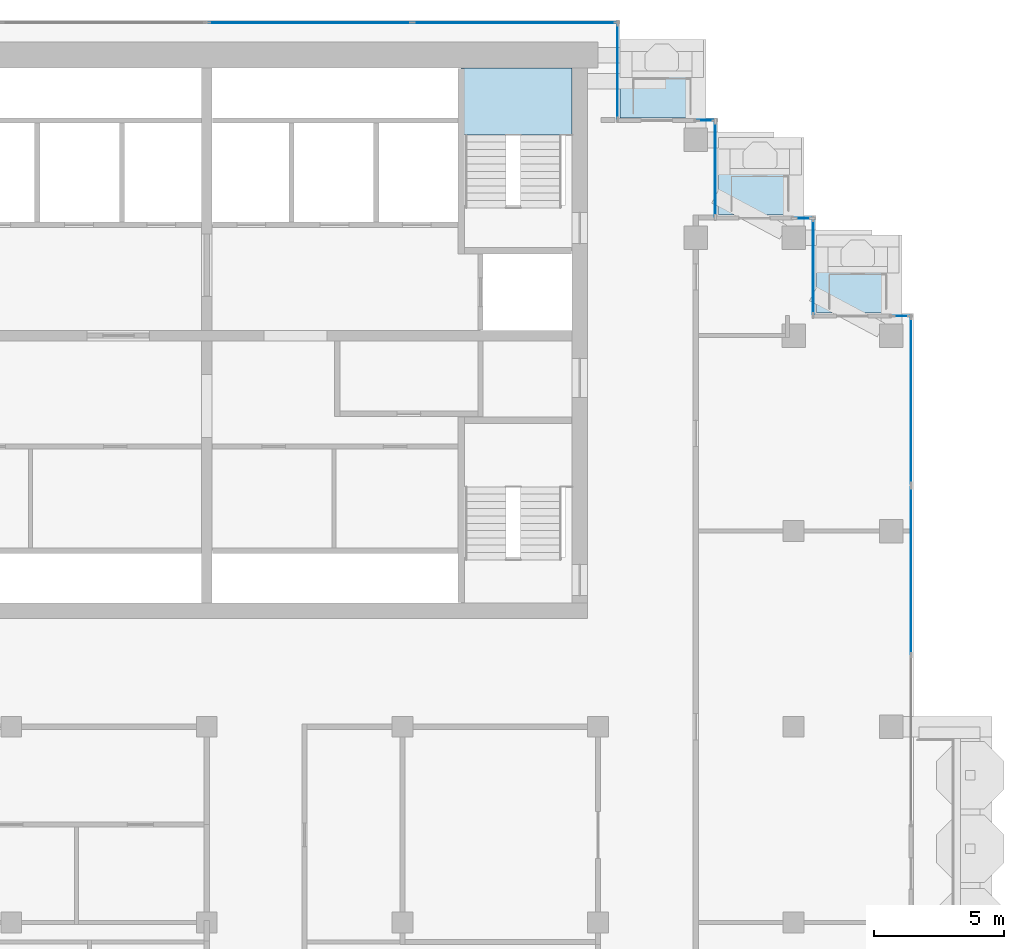
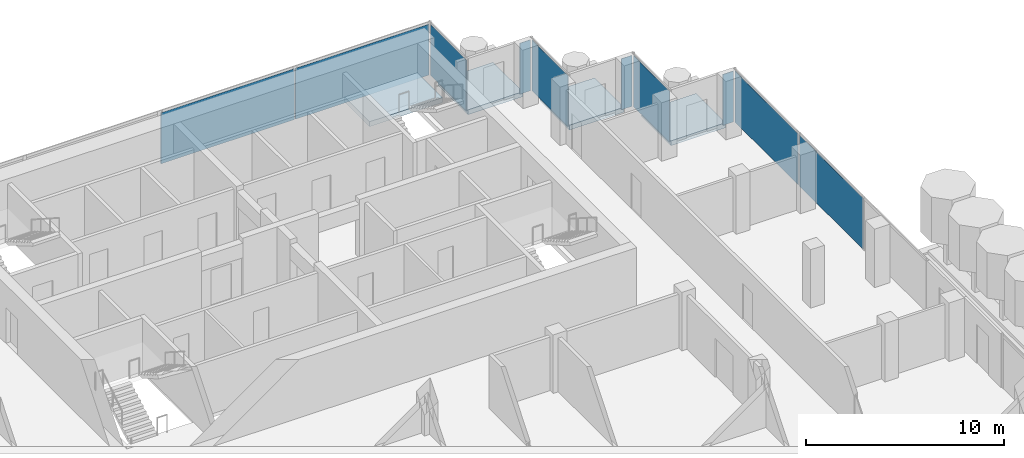
# One storey, part 10 of 18: 10 plates, 4 slabs, 10 elements without a shape of their own.
"""IFC4 building model written with IfcOpenShell, lengths in metres."""

from ifc_helpers import new_model, si_unit, direction, frame, origin, origin_2d, place, context, subcontext, project, spatial, polyline, rectangle, outline, extrude, material, layer, layer_set, type_object, element, aggregate, save


model = new_model("IFC4")

# Units and contexts
model_context = context("Model", 3, precision=1e-05, world=origin(), true_north=direction((0.0, 1.0)))
body_context = subcontext(model_context, "Body", "Model", "MODEL_VIEW")
ifc_project = project(units=[si_unit("LENGTHUNIT", "METRE"), si_unit("AREAUNIT", "SQUARE_METRE"), si_unit("VOLUMEUNIT", "CUBIC_METRE"), si_unit("PLANEANGLEUNIT", "RADIAN"), si_unit("MASSUNIT", "GRAM", prefix="KILO")], contexts=[model_context])

# Site, building, storey
site_placement = place(None, origin())
site = spatial("IfcSite", under=ifc_project, at=site_placement, CompositionType="ELEMENT")
building_placement = place(site_placement, origin())
building = spatial("IfcBuilding", under=site, at=building_placement, Name="Pilkhan Gate Tower", CompositionType="ELEMENT")
storey_placement = place(building_placement, frame((0.0, 0.0, 235.5)))
storey = spatial("IfcBuildingStorey", under=building, at=storey_placement, Name="L61", CompositionType="ELEMENT", Elevation=235.5)

# Slabs
ifc_material_1 = material(Name="Concrete C60/75", Category="concrete")
ifc_layer_1 = layer(ifc_material_1, 0.300048828125)
ifc_layer_set_1 = layer_set([ifc_layer_1], Name="Balcony tray slab TR300")
slab_type_1 = type_object("IfcSlabType", Name="Balcony tray slab TR300", PredefinedType="FLOOR", material=ifc_layer_set_1)
slab_1_placement = place(storey_placement, frame((0.0, 0.0, -0.300048828125)))
element("IfcSlab", 1, at=slab_1_placement, inside=storey, type_object=slab_type_1, Name="Balcony tray L61 N", PredefinedType="FLOOR", context=body_context, shape_type="SweptSolid", body=[
    extrude(outline(polyline([(94.050048828125, 90.85009765625), (94.050048828125, 93.85009765625), (90.85009765625, 93.85009765625), (90.85009765625, 90.85009765625), (94.050048828125, 90.85009765625)])), origin(), (0.0, 0.0, 1.0), 0.300048828125),
])
slab_2_placement = place(storey_placement, frame((0.0, 0.0, -0.300048828125)))
element("IfcSlab", 2, at=slab_2_placement, inside=storey, type_object=slab_type_1, Name="Balcony tray L61 N", PredefinedType="FLOOR", context=body_context, shape_type="SweptSolid", body=[
    extrude(outline(polyline([(97.800048828125, 87.1201171875), (97.800048828125, 90.10009765625), (94.6201171875, 90.10009765625), (94.6201171875, 87.1201171875), (97.800048828125, 87.1201171875)])), origin(), (0.0, 0.0, 1.0), 0.300048828125),
])
slab_3_placement = place(storey_placement, frame((0.0, 0.0, -0.300048828125)))
element("IfcSlab", 3, at=slab_3_placement, inside=storey, type_object=slab_type_1, Name="Balcony tray L61 N", PredefinedType="FLOOR", context=body_context, shape_type="SweptSolid", body=[
    extrude(outline(polyline([(101.550048828125, 83.3701171875), (101.550048828125, 86.35009765625), (98.3701171875, 86.35009765625), (98.3701171875, 83.3701171875), (101.550048828125, 83.3701171875)])), origin(), (0.0, 0.0, 1.0), 0.300048828125),
])

# Curtain wall, plate
ifc_material_2 = material(Name="Pale anodised aluminium, clear low-iron double glazing", Category="aluminium")
curtain_wall_type = type_object("IfcCurtainWallType", Name="Office unitised curtain wall CW-O2", PredefinedType="USERDEFINED", material=ifc_material_2)
curtain_wall_1_placement = place(storey_placement, origin())
curtain_wall_1 = element("IfcCurtainWall", 4, at=curtain_wall_1_placement, inside=storey, type_object=curtain_wall_type, Name="Office unitised curtain wall CW-O2 L61 E", ObjectType="UNITISED CURTAIN WALL", PredefinedType="USERDEFINED")
ifc_material_3 = material(Name="Clear low-iron double glazing", Category="glass")
ifc_layer_2 = layer(ifc_material_3, 0.031982421875)
ifc_layer_set_2 = layer_set([ifc_layer_2], Name="Glass panel CW-O2 32")
plate_type = type_object("IfcPlateType", Name="Glass panel CW-O2 32", PredefinedType="CURTAIN_PANEL", material=ifc_layer_set_2)
plate_1_placement = place(storey_placement, frame((102.0, 73.483642578125, 0.0), z_axis=(0.0, 0.0, 1.0), x_axis=(0.0, 1.0, 0.0)))
plate_1 = element("IfcPlate", 5, at=plate_1_placement, type_object=plate_type, Name="CW-O2 panel 2", PredefinedType="CURTAIN_PANEL", context=body_context, shape_type="SweptSolid", body=[
    extrude(rectangle(XDim=6.402587890625, YDim=0.031982421875, at=origin_2d()), origin(), (0.0, 0.0, 1.0), 3.135009765625),
])
aggregate(curtain_wall_1, [plate_1])

curtain_wall_2_placement = place(storey_placement, origin())
curtain_wall_2 = element("IfcCurtainWall", 6, at=curtain_wall_2_placement, inside=storey, type_object=curtain_wall_type, Name="Office unitised curtain wall CW-O2 L61 E", ObjectType="UNITISED CURTAIN WALL", PredefinedType="USERDEFINED")
plate_2_placement = place(storey_placement, frame((102.0, 80.0, 0.0), z_axis=(0.0, 0.0, 1.0), x_axis=(0.0, 1.0, 0.0)))
plate_2 = element("IfcPlate", 7, at=plate_2_placement, type_object=plate_type, Name="CW-O2 panel 1", PredefinedType="CURTAIN_PANEL", context=body_context, shape_type="SweptSolid", body=[
    extrude(rectangle(XDim=6.3701171875, YDim=0.031982421875, at=origin_2d()), origin(), (0.0, 0.0, 1.0), 3.135009765625),
])
aggregate(curtain_wall_2, [plate_2])

curtain_wall_3_placement = place(storey_placement, origin())
curtain_wall_3 = element("IfcCurtainWall", 8, at=curtain_wall_3_placement, inside=storey, type_object=curtain_wall_type, Name="Office unitised curtain wall CW-O2 L61 N", ObjectType="UNITISED CURTAIN WALL", PredefinedType="USERDEFINED")
plate_3_placement = place(storey_placement, frame((101.625, 83.25, 0.0), z_axis=(0.0, 0.0, 1.0), x_axis=(1.0, 0.0, 0.0)))
plate_3 = element("IfcPlate", 9, at=plate_3_placement, type_object=plate_type, Name="CW-O2 panel 1", PredefinedType="CURTAIN_PANEL", context=body_context, shape_type="SweptSolid", body=[
    extrude(rectangle(XDim=0.6201171875, YDim=0.031982421875, at=origin_2d()), origin(), (0.0, 0.0, 1.0), 3.135009765625),
])
aggregate(curtain_wall_3, [plate_3])

curtain_wall_4_placement = place(storey_placement, origin())
curtain_wall_4 = element("IfcCurtainWall", 10, at=curtain_wall_4_placement, inside=storey, type_object=curtain_wall_type, Name="Office unitised curtain wall CW-O2 L61 E", ObjectType="UNITISED CURTAIN WALL", PredefinedType="USERDEFINED")
plate_4_placement = place(storey_placement, frame((98.25, 85.125, 0.0), z_axis=(0.0, 0.0, 1.0), x_axis=(0.0, 1.0, 0.0)))
plate_4 = element("IfcPlate", 11, at=plate_4_placement, type_object=plate_type, Name="CW-O2 panel 1", PredefinedType="CURTAIN_PANEL", context=body_context, shape_type="SweptSolid", body=[
    extrude(rectangle(XDim=3.6201171875, YDim=0.031982421875, at=origin_2d()), origin(), (0.0, 0.0, 1.0), 3.135009765625),
])
aggregate(curtain_wall_4, [plate_4])

curtain_wall_5_placement = place(storey_placement, origin())
curtain_wall_5 = element("IfcCurtainWall", 12, at=curtain_wall_5_placement, inside=storey, type_object=curtain_wall_type, Name="Office unitised curtain wall CW-O2 L61 N", ObjectType="UNITISED CURTAIN WALL", PredefinedType="USERDEFINED")
plate_5_placement = place(storey_placement, frame((97.875, 87.0, 0.0), z_axis=(0.0, 0.0, 1.0), x_axis=(1.0, 0.0, 0.0)))
plate_5 = element("IfcPlate", 13, at=plate_5_placement, type_object=plate_type, Name="CW-O2 panel 1", PredefinedType="CURTAIN_PANEL", context=body_context, shape_type="SweptSolid", body=[
    extrude(rectangle(XDim=0.6201171875, YDim=0.031982421875, at=origin_2d()), origin(), (0.0, 0.0, 1.0), 3.135009765625),
])
aggregate(curtain_wall_5, [plate_5])

curtain_wall_6_placement = place(storey_placement, origin())
curtain_wall_6 = element("IfcCurtainWall", 14, at=curtain_wall_6_placement, inside=storey, type_object=curtain_wall_type, Name="Office unitised curtain wall CW-O2 L61 E", ObjectType="UNITISED CURTAIN WALL", PredefinedType="USERDEFINED")
plate_6_placement = place(storey_placement, frame((94.5, 88.875, 0.0), z_axis=(0.0, 0.0, 1.0), x_axis=(0.0, 1.0, 0.0)))
plate_6 = element("IfcPlate", 15, at=plate_6_placement, type_object=plate_type, Name="CW-O2 panel 1", PredefinedType="CURTAIN_PANEL", context=body_context, shape_type="SweptSolid", body=[
    extrude(rectangle(XDim=3.6201171875, YDim=0.031982421875, at=origin_2d()), origin(), (0.0, 0.0, 1.0), 3.135009765625),
])
aggregate(curtain_wall_6, [plate_6])

curtain_wall_7_placement = place(storey_placement, origin())
curtain_wall_7 = element("IfcCurtainWall", 16, at=curtain_wall_7_placement, inside=storey, type_object=curtain_wall_type, Name="Office unitised curtain wall CW-O2 L61 N", ObjectType="UNITISED CURTAIN WALL", PredefinedType="USERDEFINED")
plate_7_placement = place(storey_placement, frame((94.125, 90.75, 0.0), z_axis=(0.0, 0.0, 1.0), x_axis=(1.0, 0.0, 0.0)))
plate_7 = element("IfcPlate", 17, at=plate_7_placement, type_object=plate_type, Name="CW-O2 panel 1", PredefinedType="CURTAIN_PANEL", context=body_context, shape_type="SweptSolid", body=[
    extrude(rectangle(XDim=0.6201171875, YDim=0.031982421875, at=origin_2d()), origin(), (0.0, 0.0, 1.0), 3.135009765625),
])
aggregate(curtain_wall_7, [plate_7])

curtain_wall_8_placement = place(storey_placement, origin())
curtain_wall_8 = element("IfcCurtainWall", 18, at=curtain_wall_8_placement, inside=storey, type_object=curtain_wall_type, Name="Office unitised curtain wall CW-O2 L61 E", ObjectType="UNITISED CURTAIN WALL", PredefinedType="USERDEFINED")
plate_8_placement = place(storey_placement, frame((90.75, 92.625, 0.0), z_axis=(0.0, 0.0, 1.0), x_axis=(0.0, 1.0, 0.0)))
plate_8 = element("IfcPlate", 19, at=plate_8_placement, type_object=plate_type, Name="CW-O2 panel 1", PredefinedType="CURTAIN_PANEL", context=body_context, shape_type="SweptSolid", body=[
    extrude(rectangle(XDim=3.6201171875, YDim=0.031982421875, at=origin_2d()), origin(), (0.0, 0.0, 1.0), 3.135009765625),
])
aggregate(curtain_wall_8, [plate_8])

# Curtain wall, plates
curtain_wall_9_placement = place(storey_placement, origin())
curtain_wall_9 = element("IfcCurtainWall", 20, at=curtain_wall_9_placement, inside=storey, type_object=curtain_wall_type, Name="Office unitised curtain wall CW-O2 L61 N", ObjectType="UNITISED CURTAIN WALL", PredefinedType="USERDEFINED")
plate_9_placement = place(storey_placement, frame((78.953857421875, 94.5, 0.0), z_axis=(0.0, 0.0, 1.0), x_axis=(1.0, 0.0, 0.0)))
plate_9 = element("IfcPlate", 21, at=plate_9_placement, type_object=plate_type, Name="CW-O2 panel 1", PredefinedType="CURTAIN_PANEL", context=body_context, shape_type="SweptSolid", body=[
    extrude(rectangle(XDim=7.777587890625, YDim=0.031982421875, at=origin_2d()), origin(), (0.0, 0.0, 1.0), 3.135009765625),
])
plate_10_placement = place(storey_placement, frame((86.796142578125, 94.5, 0.0), z_axis=(0.0, 0.0, 1.0), x_axis=(1.0, 0.0, 0.0)))
plate_10 = element("IfcPlate", 22, at=plate_10_placement, type_object=plate_type, Name="CW-O2 panel 2", PredefinedType="CURTAIN_PANEL", context=body_context, shape_type="SweptSolid", body=[
    extrude(rectangle(XDim=7.777587890625, YDim=0.031982421875, at=origin_2d()), origin(), (0.0, 0.0, 1.0), 3.135009765625),
])
aggregate(curtain_wall_9, [plate_9, plate_10])

# Stair, slab
ifc_material_4 = material(Name="Concrete C40/50 precast", Category="concrete")
stair_type = type_object("IfcStairType", Name="Stair ST4 164x280", PredefinedType="HALF_TURN_STAIR", material=ifc_material_4)
stair_placement = place(storey_placement, origin())
stair = element("IfcStair", 23, at=stair_placement, inside=storey, type_object=stair_type, Name="Stair ST4 L61", PredefinedType="HALF_TURN_STAIR")
ifc_material_5 = material(Name="Concrete C40/50", Category="concrete")
ifc_layer_3 = layer(ifc_material_5, 0.199951171875)
ifc_layer_set_3 = layer_set([ifc_layer_3], Name="Stair landing SL200")
slab_type_2 = type_object("IfcSlabType", Name="Stair landing SL200", PredefinedType="LANDING", material=ifc_layer_set_3)
slab_4_placement = place(storey_placement, frame((0.0, 0.0, 1.5)))
slab_4 = element("IfcSlab", 24, at=slab_4_placement, type_object=slab_type_2, Name="ST4 landing 1", PredefinedType="LANDING", context=body_context, shape_type="SweptSolid", body=[
    extrude(outline(polyline([(89.0, 90.199951171875), (89.0, 92.75), (84.75, 92.75), (84.75, 90.199951171875), (89.0, 90.199951171875)])), origin(), (0.0, 0.0, 1.0), 0.300048828125),
])
aggregate(stair, [slab_4])

save(model, "model.ifc")
